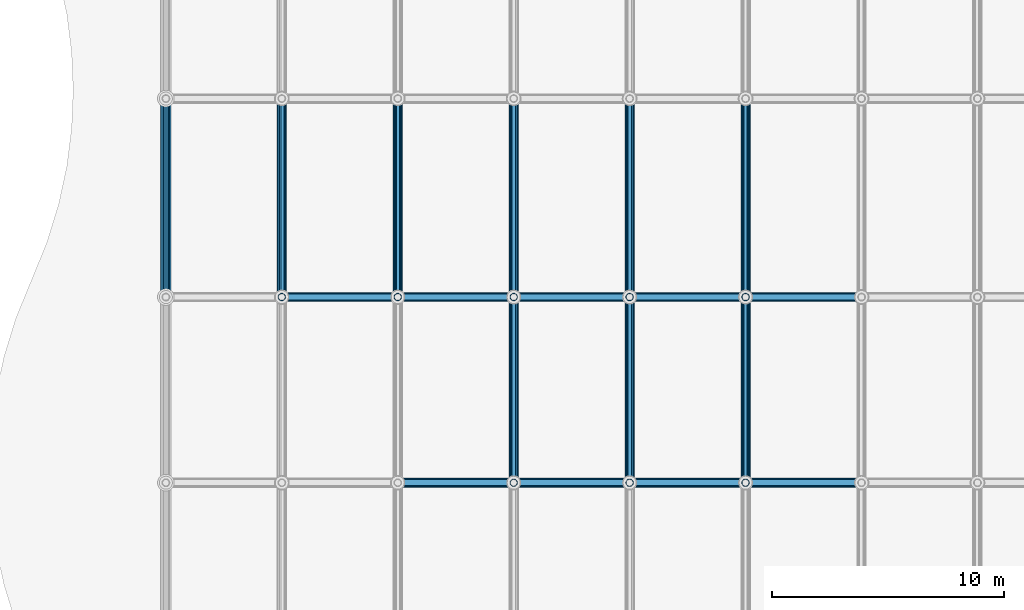
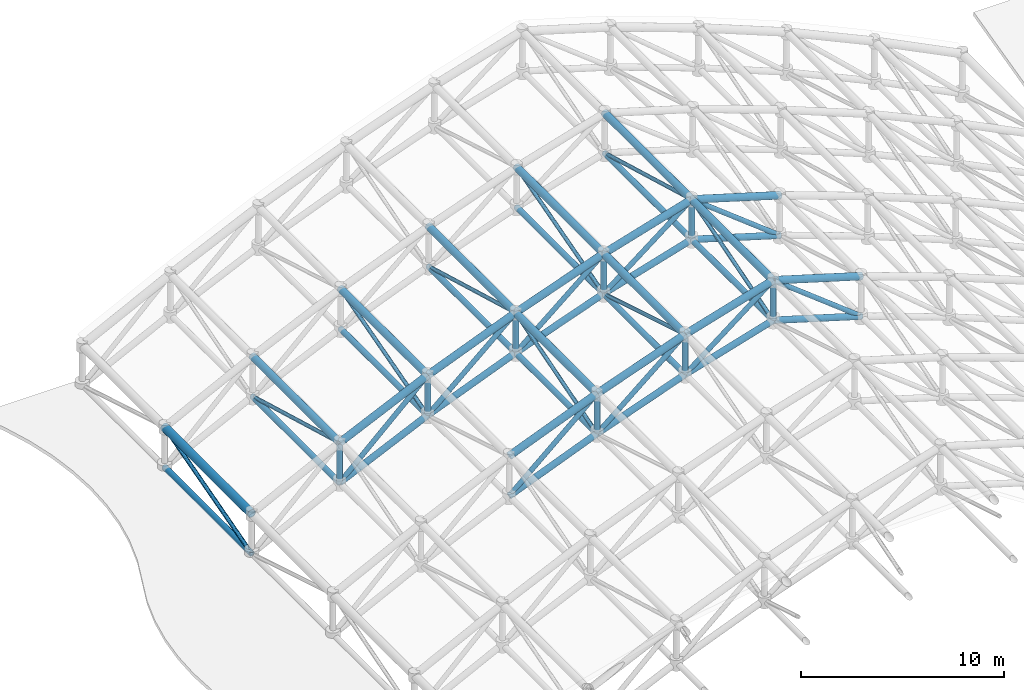
# One storey, part 6 of 11: 62 members.
"""IFC4 building model written with IfcOpenShell, lengths in metres."""

from ifc_helpers import new_model, si_unit, direction, frame, origin, origin_2d, place, context, subcontext, project, spatial, hollow_circle, extrude, material, material_profile, profile_set, type_object, element, save


model = new_model("IFC4")

# Units and contexts
model_context = context("Model", 3, precision=1e-05, world=origin(), true_north=direction((0.0, 1.0)))
body_context = subcontext(model_context, "Body", "Model", "MODEL_VIEW")
ifc_project = project(units=[si_unit("LENGTHUNIT", "METRE"), si_unit("AREAUNIT", "SQUARE_METRE"), si_unit("VOLUMEUNIT", "CUBIC_METRE"), si_unit("PLANEANGLEUNIT", "RADIAN"), si_unit("MASSUNIT", "GRAM", prefix="KILO")], contexts=[model_context])

# Site, building, storey
site_placement = place(None, origin())
site = spatial("IfcSite", under=ifc_project, at=site_placement, CompositionType="ELEMENT")
building_placement = place(site_placement, origin())
building = spatial("IfcBuilding", under=site, at=building_placement, Name="Kazehara Bluff Congress Hotel", CompositionType="ELEMENT")
storey_placement = place(building_placement, frame((0.0, 0.0, 50.39990234375)))
storey = spatial("IfcBuildingStorey", under=building, at=storey_placement, Name="RF", CompositionType="ELEMENT", Elevation=50.39990234375)

# Members
ifc_material_1 = material(Name="Steel STK490", Category="steel")
ifc_material_profile_1 = material_profile(ifc_material_1, hollow_circle(Radius=0.177734375, WallThickness=0.0126953125, at=origin_2d()))
ifc_profile_set_1 = profile_set([ifc_material_profile_1], Name="Steel STK490")
member_type_1 = type_object("IfcMemberType", Name="TP-SF-BC1", PredefinedType="CHORD", material=ifc_profile_set_1)
member_1_placement = place(storey_placement, frame((18.389892578125, 88.89990234375, -25.7998046875), z_axis=(0.928351468575, 0.0, 0.371703579207), x_axis=(0.0, 1.0, 0.0)))
element("IfcMember", 1, at=member_1_placement, inside=storey, type_object=member_type_1, Name="Congress roof space frame bottom arch chord 106", PredefinedType="CHORD", context=body_context, shape_type="SweptSolid", body=[
    extrude(hollow_circle(Radius=0.177734375, WallThickness=0.0126953125, at=origin_2d()), origin(), (0.0, 0.0, 1.0), 5.380615234375),
])
member_2_placement = place(storey_placement, frame((23.385009765625, 88.89990234375, -23.7998046875), z_axis=(0.940788303939, 0.0, 0.338994641803), x_axis=(0.0, 1.0, 0.0)))
element("IfcMember", 2, at=member_2_placement, inside=storey, type_object=member_type_1, Name="Congress roof space frame bottom arch chord 108", PredefinedType="CHORD", context=body_context, shape_type="SweptSolid", body=[
    extrude(hollow_circle(Radius=0.177734375, WallThickness=0.0126953125, at=origin_2d()), origin(), (0.0, 0.0, 1.0), 5.309326171875),
])
for number, where, z_axis, x_axis, name in (
    (3, (28.3798828125, 88.89990234375, -22.0), (0.957748948325, 0.0, 0.287605549292), (0.0, 1.0, 0.0), "Congress roof space frame bottom arch chord 110"),
    (4, (33.375, 88.89990234375, -20.5), (0.957748948325, 0.0, -0.287605549292), (0.0, 1.0, 0.0), "Congress roof space frame bottom arch chord 112"),
):
    element("IfcMember", number, at=place(storey_placement, frame(where, z_axis=z_axis, x_axis=x_axis)), inside=storey, type_object=member_type_1, Name=name, PredefinedType="CHORD", context=body_context, shape_type="SweptSolid", body=[
        extrude(hollow_circle(Radius=0.177734375, WallThickness=0.0126953125, at=origin_2d()), origin(), (0.0, 0.0, 1.0), 5.215576171875),
    ])
member_3_placement = place(storey_placement, frame((13.39501953125, 96.89990234375, -28.099853515625), z_axis=(0.908324180475, 0.0, 0.41826688031), x_axis=(0.0, 1.0, 0.0)))
element("IfcMember", 5, at=member_3_placement, inside=storey, type_object=member_type_1, Name="Congress roof space frame bottom arch chord 124", PredefinedType="CHORD", context=body_context, shape_type="SweptSolid", body=[
    extrude(hollow_circle(Radius=0.177734375, WallThickness=0.0126953125, at=origin_2d()), origin(), (0.0, 0.0, 1.0), 5.4990234375),
])
member_4_placement = place(storey_placement, frame((18.389892578125, 96.89990234375, -25.7998046875), z_axis=(0.928351468575, 0.0, 0.371703579207), x_axis=(0.0, 1.0, 0.0)))
element("IfcMember", 6, at=member_4_placement, inside=storey, type_object=member_type_1, Name="Congress roof space frame bottom arch chord 126", PredefinedType="CHORD", context=body_context, shape_type="SweptSolid", body=[
    extrude(hollow_circle(Radius=0.177734375, WallThickness=0.0126953125, at=origin_2d()), origin(), (0.0, 0.0, 1.0), 5.380615234375),
])
member_5_placement = place(storey_placement, frame((23.385009765625, 96.89990234375, -23.7998046875), z_axis=(0.940788303939, 0.0, 0.338994641803), x_axis=(0.0, 1.0, 0.0)))
element("IfcMember", 7, at=member_5_placement, inside=storey, type_object=member_type_1, Name="Congress roof space frame bottom arch chord 128", PredefinedType="CHORD", context=body_context, shape_type="SweptSolid", body=[
    extrude(hollow_circle(Radius=0.177734375, WallThickness=0.0126953125, at=origin_2d()), origin(), (0.0, 0.0, 1.0), 5.309326171875),
])
for number, where, z_axis, x_axis, name in (
    (8, (28.3798828125, 96.89990234375, -22.0), (0.957748948325, 0.0, 0.287605549292), (0.0, 1.0, 0.0), "Congress roof space frame bottom arch chord 130"),
    (9, (33.375, 96.89990234375, -20.5), (0.957748948325, 0.0, -0.287605549292), (0.0, 1.0, 0.0), "Congress roof space frame bottom arch chord 132"),
):
    element("IfcMember", number, at=place(storey_placement, frame(where, z_axis=z_axis, x_axis=x_axis)), inside=storey, type_object=member_type_1, Name=name, PredefinedType="CHORD", context=body_context, shape_type="SweptSolid", body=[
        extrude(hollow_circle(Radius=0.177734375, WallThickness=0.0126953125, at=origin_2d()), origin(), (0.0, 0.0, 1.0), 5.215576171875),
    ])
ifc_material_2 = material(Name="Steel STK490", Category="steel")
ifc_material_profile_2 = material_profile(ifc_material_2, hollow_circle(Radius=0.1591796875, WallThickness=0.01025390625, at=origin_2d()))
ifc_profile_set_2 = profile_set([ifc_material_profile_2], Name="Steel STK490")
member_type_2 = type_object("IfcMemberType", Name="TP-SF-BC2", PredefinedType="CHORD", material=ifc_profile_set_2)
for number, where, z_axis, x_axis, name in (
    (10, (8.39990234375, 96.89990234375, -30.599853515625), (0.0, 1.0, 0.0), (-1.0, 0.0, 0.0), "Congress roof space frame bottom longitudinal chord 194"),
    (11, (13.39501953125, 96.89990234375, -28.099853515625), (0.0, 1.0, 0.0), (-1.0, 0.0, 0.0), "Congress roof space frame bottom longitudinal chord 210"),
    (12, (18.389892578125, 96.89990234375, -25.7998046875), (0.0, 1.0, 0.0), (-1.0, 0.0, 0.0), "Congress roof space frame bottom longitudinal chord 226"),
):
    element("IfcMember", number, at=place(storey_placement, frame(where, z_axis=z_axis, x_axis=x_axis)), inside=storey, type_object=member_type_2, Name=name, PredefinedType="CHORD", context=body_context, shape_type="SweptSolid", body=[
        extrude(hollow_circle(Radius=0.1591796875, WallThickness=0.01025390625, at=origin_2d()), origin(), (0.0, 0.0, 1.0), 8.550048828125),
    ])
member_6_placement = place(storey_placement, frame((23.385009765625, 88.89990234375, -23.7998046875), z_axis=(0.0, 1.0, 0.0), x_axis=(-1.0, 0.0, 0.0)))
element("IfcMember", 13, at=member_6_placement, inside=storey, type_object=member_type_2, Name="Congress roof space frame bottom longitudinal chord 240", PredefinedType="CHORD", context=body_context, shape_type="SweptSolid", body=[
    extrude(hollow_circle(Radius=0.1591796875, WallThickness=0.01025390625, at=origin_2d()), origin(), (0.0, 0.0, 1.0), 8.0),
])
member_7_placement = place(storey_placement, frame((23.385009765625, 96.89990234375, -23.7998046875), z_axis=(0.0, 1.0, 0.0), x_axis=(-1.0, 0.0, 0.0)))
element("IfcMember", 14, at=member_7_placement, inside=storey, type_object=member_type_2, Name="Congress roof space frame bottom longitudinal chord 242", PredefinedType="CHORD", context=body_context, shape_type="SweptSolid", body=[
    extrude(hollow_circle(Radius=0.1591796875, WallThickness=0.01025390625, at=origin_2d()), origin(), (0.0, 0.0, 1.0), 8.550048828125),
])
member_8_placement = place(storey_placement, frame((28.3798828125, 88.89990234375, -22.0), z_axis=(0.0, 1.0, 0.0), x_axis=(-1.0, 0.0, 0.0)))
element("IfcMember", 15, at=member_8_placement, inside=storey, type_object=member_type_2, Name="Congress roof space frame bottom longitudinal chord 256", PredefinedType="CHORD", context=body_context, shape_type="SweptSolid", body=[
    extrude(hollow_circle(Radius=0.1591796875, WallThickness=0.01025390625, at=origin_2d()), origin(), (0.0, 0.0, 1.0), 8.0),
])
member_9_placement = place(storey_placement, frame((28.3798828125, 96.89990234375, -22.0), z_axis=(0.0, 1.0, 0.0), x_axis=(-1.0, 0.0, 0.0)))
element("IfcMember", 16, at=member_9_placement, inside=storey, type_object=member_type_2, Name="Congress roof space frame bottom longitudinal chord 258", PredefinedType="CHORD", context=body_context, shape_type="SweptSolid", body=[
    extrude(hollow_circle(Radius=0.1591796875, WallThickness=0.01025390625, at=origin_2d()), origin(), (0.0, 0.0, 1.0), 8.550048828125),
])
member_10_placement = place(storey_placement, frame((33.375, 88.89990234375, -20.5), z_axis=(0.0, 1.0, 0.0), x_axis=(-1.0, 0.0, 0.0)))
element("IfcMember", 17, at=member_10_placement, inside=storey, type_object=member_type_2, Name="Congress roof space frame bottom longitudinal chord 272", PredefinedType="CHORD", context=body_context, shape_type="SweptSolid", body=[
    extrude(hollow_circle(Radius=0.1591796875, WallThickness=0.01025390625, at=origin_2d()), origin(), (0.0, 0.0, 1.0), 8.0),
])
member_11_placement = place(storey_placement, frame((33.375, 96.89990234375, -20.5), z_axis=(0.0, 1.0, 0.0), x_axis=(-1.0, 0.0, 0.0)))
element("IfcMember", 18, at=member_11_placement, inside=storey, type_object=member_type_2, Name="Congress roof space frame bottom longitudinal chord 274", PredefinedType="CHORD", context=body_context, shape_type="SweptSolid", body=[
    extrude(hollow_circle(Radius=0.1591796875, WallThickness=0.01025390625, at=origin_2d()), origin(), (0.0, 0.0, 1.0), 8.550048828125),
])
ifc_material_3 = material(Name="Steel STK490", Category="steel")
ifc_material_profile_3 = material_profile(ifc_material_3, hollow_circle(Radius=0.1337890625, WallThickness=0.00927734375, at=origin_2d()))
ifc_profile_set_3 = profile_set([ifc_material_profile_3], Name="Steel STK490")
member_type_3 = type_object("IfcMemberType", Name="TP-SF-DG1", PredefinedType="BRACE", material=ifc_profile_set_3)
member_12_placement = place(storey_placement, frame((18.389892578125, 88.89990234375, -25.7998046875), z_axis=(0.750400574845, 0.0, 0.660983341146), x_axis=(0.0, 1.0, 0.0)))
element("IfcMember", 19, at=member_12_placement, inside=storey, type_object=member_type_3, Name="Congress roof space frame arch web diagonal 508", PredefinedType="BRACE", context=body_context, shape_type="SweptSolid", body=[
    extrude(hollow_circle(Radius=0.1337890625, WallThickness=0.00927734375, at=origin_2d()), origin(), (0.0, 0.0, 1.0), 6.656494140625),
])
member_13_placement = place(storey_placement, frame((23.385009765625, 88.89990234375, -23.7998046875), z_axis=(0.765383445182, 0.0, 0.643574534799), x_axis=(0.0, 1.0, 0.0)))
element("IfcMember", 20, at=member_13_placement, inside=storey, type_object=member_type_3, Name="Congress roof space frame arch web diagonal 509", PredefinedType="BRACE", context=body_context, shape_type="SweptSolid", body=[
    extrude(hollow_circle(Radius=0.1337890625, WallThickness=0.00927734375, at=origin_2d()), origin(), (0.0, 0.0, 1.0), 6.52587890625),
])
for number, where, z_axis, x_axis, name in (
    (21, (28.3798828125, 88.89990234375, -22.0), (0.788199556762, 0.0, 0.6154197419), (0.0, 1.0, 0.0), "Congress roof space frame arch web diagonal 510"),
    (22, (33.375, 88.89990234375, -18.099853515625), (0.788199556762, 0.0, -0.6154197419), (0.0, 1.0, 0.0), "Congress roof space frame arch web diagonal 511"),
):
    element("IfcMember", number, at=place(storey_placement, frame(where, z_axis=z_axis, x_axis=x_axis)), inside=storey, type_object=member_type_3, Name=name, PredefinedType="BRACE", context=body_context, shape_type="SweptSolid", body=[
        extrude(hollow_circle(Radius=0.1337890625, WallThickness=0.00927734375, at=origin_2d()), origin(), (0.0, 0.0, 1.0), 6.33740234375),
    ])
member_14_placement = place(storey_placement, frame((13.39501953125, 96.89990234375, -28.099853515625), z_axis=(0.728280456647, 0.0, 0.685279195997), x_axis=(0.0, 1.0, 0.0)))
element("IfcMember", 23, at=member_14_placement, inside=storey, type_object=member_type_3, Name="Congress roof space frame arch web diagonal 517", PredefinedType="BRACE", context=body_context, shape_type="SweptSolid", body=[
    extrude(hollow_circle(Radius=0.1337890625, WallThickness=0.00927734375, at=origin_2d()), origin(), (0.0, 0.0, 1.0), 6.8583984375),
])
member_15_placement = place(storey_placement, frame((18.389892578125, 96.89990234375, -25.7998046875), z_axis=(0.750400574845, 0.0, 0.660983341146), x_axis=(0.0, 1.0, 0.0)))
element("IfcMember", 24, at=member_15_placement, inside=storey, type_object=member_type_3, Name="Congress roof space frame arch web diagonal 518", PredefinedType="BRACE", context=body_context, shape_type="SweptSolid", body=[
    extrude(hollow_circle(Radius=0.1337890625, WallThickness=0.00927734375, at=origin_2d()), origin(), (0.0, 0.0, 1.0), 6.656494140625),
])
member_16_placement = place(storey_placement, frame((23.385009765625, 96.89990234375, -23.7998046875), z_axis=(0.765383445182, 0.0, 0.643574534799), x_axis=(0.0, 1.0, 0.0)))
element("IfcMember", 25, at=member_16_placement, inside=storey, type_object=member_type_3, Name="Congress roof space frame arch web diagonal 519", PredefinedType="BRACE", context=body_context, shape_type="SweptSolid", body=[
    extrude(hollow_circle(Radius=0.1337890625, WallThickness=0.00927734375, at=origin_2d()), origin(), (0.0, 0.0, 1.0), 6.52587890625),
])
for number, where, z_axis, x_axis, name in (
    (26, (28.3798828125, 96.89990234375, -22.0), (0.788199556762, 0.0, 0.6154197419), (0.0, 1.0, 0.0), "Congress roof space frame arch web diagonal 520"),
    (27, (33.375, 96.89990234375, -18.099853515625), (0.788199556762, 0.0, -0.6154197419), (0.0, 1.0, 0.0), "Congress roof space frame arch web diagonal 521"),
):
    element("IfcMember", number, at=place(storey_placement, frame(where, z_axis=z_axis, x_axis=x_axis)), inside=storey, type_object=member_type_3, Name=name, PredefinedType="BRACE", context=body_context, shape_type="SweptSolid", body=[
        extrude(hollow_circle(Radius=0.1337890625, WallThickness=0.00927734375, at=origin_2d()), origin(), (0.0, 0.0, 1.0), 6.33740234375),
    ])
ifc_material_4 = material(Name="Steel STK490", Category="steel")
ifc_material_profile_4 = material_profile(ifc_material_4, hollow_circle(Radius=0.108154296875, WallThickness=0.00830078125, at=origin_2d()))
ifc_profile_set_4 = profile_set([ifc_material_profile_4], Name="Steel STK490")
member_type_4 = type_object("IfcMemberType", Name="TP-SF-DG2", PredefinedType="BRACE", material=ifc_profile_set_4)
for number, where, z_axis, x_axis, name in (
    (28, (8.39990234375, 96.89990234375, -30.599853515625), (0.0, 0.962791652702, 0.270244765885), (-1.0, 0.0, 0.0), "Congress roof space frame transverse web diagonal 552"),
    (29, (13.39501953125, 96.89990234375, -25.699951171875), (0.0, 0.962791652702, -0.270244765885), (-1.0, 0.0, 0.0), "Congress roof space frame transverse web diagonal 560"),
    (30, (18.389892578125, 96.89990234375, -25.7998046875), (0.0, 0.962791652702, 0.270244765885), (-1.0, 0.0, 0.0), "Congress roof space frame transverse web diagonal 568"),
):
    element("IfcMember", number, at=place(storey_placement, frame(where, z_axis=z_axis, x_axis=x_axis)), inside=storey, type_object=member_type_4, Name=name, PredefinedType="BRACE", context=body_context, shape_type="SweptSolid", body=[
        extrude(hollow_circle(Radius=0.108154296875, WallThickness=0.00830078125, at=origin_2d()), origin(), (0.0, 0.0, 1.0), 8.88037109375),
    ])
member_17_placement = place(storey_placement, frame((23.385009765625, 88.89990234375, -23.7998046875), z_axis=(0.0, 0.957829503213, 0.287337158709), x_axis=(-1.0, 0.0, 0.0)))
element("IfcMember", 31, at=member_17_placement, inside=storey, type_object=member_type_4, Name="Congress roof space frame transverse web diagonal 575", PredefinedType="BRACE", context=body_context, shape_type="SweptSolid", body=[
    extrude(hollow_circle(Radius=0.108154296875, WallThickness=0.00830078125, at=origin_2d()), origin(), (0.0, 0.0, 1.0), 8.352294921875),
])
member_18_placement = place(storey_placement, frame((23.385009765625, 96.89990234375, -21.39990234375), z_axis=(0.0, 0.962791652702, -0.270244765885), x_axis=(-1.0, 0.0, 0.0)))
element("IfcMember", 32, at=member_18_placement, inside=storey, type_object=member_type_4, Name="Congress roof space frame transverse web diagonal 576", PredefinedType="BRACE", context=body_context, shape_type="SweptSolid", body=[
    extrude(hollow_circle(Radius=0.108154296875, WallThickness=0.00830078125, at=origin_2d()), origin(), (0.0, 0.0, 1.0), 8.88037109375),
])
member_19_placement = place(storey_placement, frame((28.3798828125, 88.89990234375, -19.599853515625), z_axis=(0.0, 0.957821458049, -0.287363975649), x_axis=(-1.0, 0.0, 0.0)))
element("IfcMember", 33, at=member_19_placement, inside=storey, type_object=member_type_4, Name="Congress roof space frame transverse web diagonal 583", PredefinedType="BRACE", context=body_context, shape_type="SweptSolid", body=[
    extrude(hollow_circle(Radius=0.108154296875, WallThickness=0.00830078125, at=origin_2d()), origin(), (0.0, 0.0, 1.0), 8.352294921875),
])
member_20_placement = place(storey_placement, frame((28.3798828125, 96.89990234375, -22.0), z_axis=(0.0, 0.962784499333, 0.270270249648), x_axis=(-1.0, 0.0, 0.0)))
element("IfcMember", 34, at=member_20_placement, inside=storey, type_object=member_type_4, Name="Congress roof space frame transverse web diagonal 584", PredefinedType="BRACE", context=body_context, shape_type="SweptSolid", body=[
    extrude(hollow_circle(Radius=0.108154296875, WallThickness=0.00830078125, at=origin_2d()), origin(), (0.0, 0.0, 1.0), 8.880615234375),
])
member_21_placement = place(storey_placement, frame((33.375, 88.89990234375, -20.5), z_axis=(0.0, 0.957821458049, 0.287363975649), x_axis=(-1.0, 0.0, 0.0)))
element("IfcMember", 35, at=member_21_placement, inside=storey, type_object=member_type_4, Name="Congress roof space frame transverse web diagonal 591", PredefinedType="BRACE", context=body_context, shape_type="SweptSolid", body=[
    extrude(hollow_circle(Radius=0.108154296875, WallThickness=0.00830078125, at=origin_2d()), origin(), (0.0, 0.0, 1.0), 8.352294921875),
])
member_22_placement = place(storey_placement, frame((33.375, 96.89990234375, -18.099853515625), z_axis=(0.0, 0.962784499333, -0.270270249648), x_axis=(-1.0, 0.0, 0.0)))
element("IfcMember", 36, at=member_22_placement, inside=storey, type_object=member_type_4, Name="Congress roof space frame transverse web diagonal 592", PredefinedType="BRACE", context=body_context, shape_type="SweptSolid", body=[
    extrude(hollow_circle(Radius=0.108154296875, WallThickness=0.00830078125, at=origin_2d()), origin(), (0.0, 0.0, 1.0), 8.880615234375),
])
ifc_material_5 = material(Name="Steel STK490", Category="steel")
ifc_material_profile_5 = material_profile(ifc_material_5, hollow_circle(Radius=0.1591796875, WallThickness=0.01025390625, at=origin_2d()))
ifc_profile_set_5 = profile_set([ifc_material_profile_5], Name="Steel STK490")
member_type_5 = type_object("IfcMemberType", Name="TP-SF-PS1", PredefinedType="POST", material=ifc_profile_set_5)
for number, where, z_axis, x_axis, name in (
    (37, (13.39501953125, 96.89990234375, -28.099853515625), (0.0, 0.0, 1.0), (1.0, 0.0, 0.0), "Congress roof space frame vertical post 372"),
    (38, (18.389892578125, 96.89990234375, -25.7998046875), (0.0, 0.0, 1.0), (1.0, 0.0, 0.0), "Congress roof space frame vertical post 381"),
    (39, (23.385009765625, 88.89990234375, -23.7998046875), (0.0, 0.0, 1.0), (1.0, 0.0, 0.0), "Congress roof space frame vertical post 389"),
    (40, (23.385009765625, 96.89990234375, -23.7998046875), (0.0, 0.0, 1.0), (1.0, 0.0, 0.0), "Congress roof space frame vertical post 390"),
):
    element("IfcMember", number, at=place(storey_placement, frame(where, z_axis=z_axis, x_axis=x_axis)), inside=storey, type_object=member_type_5, Name=name, PredefinedType="POST", context=body_context, shape_type="SweptSolid", body=[
        extrude(hollow_circle(Radius=0.1591796875, WallThickness=0.01025390625, at=origin_2d()), origin(), (0.0, 0.0, 1.0), 2.39990234375),
    ])
for number, where, z_axis, x_axis, name in (
    (41, (28.3798828125, 88.89990234375, -22.0), (0.0, 0.0, 1.0), (1.0, 0.0, 0.0), "Congress roof space frame vertical post 398"),
    (42, (28.3798828125, 96.89990234375, -22.0), (0.0, 0.0, 1.0), (1.0, 0.0, 0.0), "Congress roof space frame vertical post 399"),
    (43, (33.375, 88.89990234375, -20.5), (0.0, 0.0, 1.0), (1.0, 0.0, 0.0), "Congress roof space frame vertical post 407"),
    (44, (33.375, 96.89990234375, -20.5), (0.0, 0.0, 1.0), (1.0, 0.0, 0.0), "Congress roof space frame vertical post 408"),
):
    element("IfcMember", number, at=place(storey_placement, frame(where, z_axis=z_axis, x_axis=x_axis)), inside=storey, type_object=member_type_5, Name=name, PredefinedType="POST", context=body_context, shape_type="SweptSolid", body=[
        extrude(hollow_circle(Radius=0.1591796875, WallThickness=0.01025390625, at=origin_2d()), origin(), (0.0, 0.0, 1.0), 2.400146484375),
    ])
ifc_material_6 = material(Name="Steel STK490", Category="steel")
ifc_material_profile_6 = material_profile(ifc_material_6, hollow_circle(Radius=0.203125, WallThickness=0.0126953125, at=origin_2d()))
ifc_profile_set_6 = profile_set([ifc_material_profile_6], Name="Steel STK490")
member_type_6 = type_object("IfcMemberType", Name="TP-SF-TC1", PredefinedType="CHORD", material=ifc_profile_set_6)
member_23_placement = place(storey_placement, frame((18.389892578125, 88.89990234375, -23.39990234375), z_axis=(0.928351468575, 0.0, 0.371703579207), x_axis=(0.0, 1.0, 0.0)))
element("IfcMember", 45, at=member_23_placement, inside=storey, type_object=member_type_6, Name="Congress roof space frame top arch chord 105", PredefinedType="CHORD", context=body_context, shape_type="SweptSolid", body=[
    extrude(hollow_circle(Radius=0.203125, WallThickness=0.0126953125, at=origin_2d()), origin(), (0.0, 0.0, 1.0), 5.380615234375),
])
member_24_placement = place(storey_placement, frame((23.385009765625, 88.89990234375, -21.39990234375), z_axis=(0.940773637944, 0.0, 0.339035340562), x_axis=(0.0, 1.0, 0.0)))
element("IfcMember", 46, at=member_24_placement, inside=storey, type_object=member_type_6, Name="Congress roof space frame top arch chord 107", PredefinedType="CHORD", context=body_context, shape_type="SweptSolid", body=[
    extrude(hollow_circle(Radius=0.203125, WallThickness=0.0126953125, at=origin_2d()), origin(), (0.0, 0.0, 1.0), 5.309326171875),
])
for number, where, z_axis, x_axis, name in (
    (47, (28.3798828125, 88.89990234375, -19.599853515625), (0.957748948325, 0.0, 0.287605549292), (0.0, 1.0, 0.0), "Congress roof space frame top arch chord 109"),
    (48, (33.375, 88.89990234375, -18.099853515625), (0.957748948325, 0.0, -0.287605549292), (0.0, 1.0, 0.0), "Congress roof space frame top arch chord 111"),
):
    element("IfcMember", number, at=place(storey_placement, frame(where, z_axis=z_axis, x_axis=x_axis)), inside=storey, type_object=member_type_6, Name=name, PredefinedType="CHORD", context=body_context, shape_type="SweptSolid", body=[
        extrude(hollow_circle(Radius=0.203125, WallThickness=0.0126953125, at=origin_2d()), origin(), (0.0, 0.0, 1.0), 5.215576171875),
    ])
member_25_placement = place(storey_placement, frame((13.39501953125, 96.89990234375, -25.699951171875), z_axis=(0.908324180475, 0.0, 0.41826688031), x_axis=(0.0, 1.0, 0.0)))
element("IfcMember", 49, at=member_25_placement, inside=storey, type_object=member_type_6, Name="Congress roof space frame top arch chord 123", PredefinedType="CHORD", context=body_context, shape_type="SweptSolid", body=[
    extrude(hollow_circle(Radius=0.203125, WallThickness=0.0126953125, at=origin_2d()), origin(), (0.0, 0.0, 1.0), 5.4990234375),
])
member_26_placement = place(storey_placement, frame((18.389892578125, 96.89990234375, -23.39990234375), z_axis=(0.928351468575, 0.0, 0.371703579207), x_axis=(0.0, 1.0, 0.0)))
element("IfcMember", 50, at=member_26_placement, inside=storey, type_object=member_type_6, Name="Congress roof space frame top arch chord 125", PredefinedType="CHORD", context=body_context, shape_type="SweptSolid", body=[
    extrude(hollow_circle(Radius=0.203125, WallThickness=0.0126953125, at=origin_2d()), origin(), (0.0, 0.0, 1.0), 5.380615234375),
])
member_27_placement = place(storey_placement, frame((23.385009765625, 96.89990234375, -21.39990234375), z_axis=(0.940773637944, 0.0, 0.339035340562), x_axis=(0.0, 1.0, 0.0)))
element("IfcMember", 51, at=member_27_placement, inside=storey, type_object=member_type_6, Name="Congress roof space frame top arch chord 127", PredefinedType="CHORD", context=body_context, shape_type="SweptSolid", body=[
    extrude(hollow_circle(Radius=0.203125, WallThickness=0.0126953125, at=origin_2d()), origin(), (0.0, 0.0, 1.0), 5.309326171875),
])
for number, where, z_axis, x_axis, name in (
    (52, (28.3798828125, 96.89990234375, -19.599853515625), (0.957748948325, 0.0, 0.287605549292), (0.0, 1.0, 0.0), "Congress roof space frame top arch chord 129"),
    (53, (33.375, 96.89990234375, -18.099853515625), (0.957748948325, 0.0, -0.287605549292), (0.0, 1.0, 0.0), "Congress roof space frame top arch chord 131"),
):
    element("IfcMember", number, at=place(storey_placement, frame(where, z_axis=z_axis, x_axis=x_axis)), inside=storey, type_object=member_type_6, Name=name, PredefinedType="CHORD", context=body_context, shape_type="SweptSolid", body=[
        extrude(hollow_circle(Radius=0.203125, WallThickness=0.0126953125, at=origin_2d()), origin(), (0.0, 0.0, 1.0), 5.215576171875),
    ])
for number, where, z_axis, x_axis, name in (
    (54, (13.39501953125, 96.89990234375, -25.699951171875), (0.0, 1.0, 0.0), (-1.0, 0.0, 0.0), "Congress roof space frame top longitudinal chord 209"),
    (55, (18.389892578125, 96.89990234375, -23.39990234375), (0.0, 1.0, 0.0), (-1.0, 0.0, 0.0), "Congress roof space frame top longitudinal chord 225"),
):
    element("IfcMember", number, at=place(storey_placement, frame(where, z_axis=z_axis, x_axis=x_axis)), inside=storey, type_object=member_type_6, Name=name, PredefinedType="CHORD", context=body_context, shape_type="SweptSolid", body=[
        extrude(hollow_circle(Radius=0.203125, WallThickness=0.0126953125, at=origin_2d()), origin(), (0.0, 0.0, 1.0), 8.550048828125),
    ])
member_28_placement = place(storey_placement, frame((23.385009765625, 88.89990234375, -21.39990234375), z_axis=(0.0, 1.0, 0.0), x_axis=(-1.0, 0.0, 0.0)))
element("IfcMember", 56, at=member_28_placement, inside=storey, type_object=member_type_6, Name="Congress roof space frame top longitudinal chord 239", PredefinedType="CHORD", context=body_context, shape_type="SweptSolid", body=[
    extrude(hollow_circle(Radius=0.203125, WallThickness=0.0126953125, at=origin_2d()), origin(), (0.0, 0.0, 1.0), 8.0),
])
member_29_placement = place(storey_placement, frame((23.385009765625, 96.89990234375, -21.39990234375), z_axis=(0.0, 1.0, 0.0), x_axis=(-1.0, 0.0, 0.0)))
element("IfcMember", 57, at=member_29_placement, inside=storey, type_object=member_type_6, Name="Congress roof space frame top longitudinal chord 241", PredefinedType="CHORD", context=body_context, shape_type="SweptSolid", body=[
    extrude(hollow_circle(Radius=0.203125, WallThickness=0.0126953125, at=origin_2d()), origin(), (0.0, 0.0, 1.0), 8.550048828125),
])
member_30_placement = place(storey_placement, frame((28.3798828125, 88.89990234375, -19.599853515625), z_axis=(0.0, 1.0, 0.0), x_axis=(-1.0, 0.0, 0.0)))
element("IfcMember", 58, at=member_30_placement, inside=storey, type_object=member_type_6, Name="Congress roof space frame top longitudinal chord 255", PredefinedType="CHORD", context=body_context, shape_type="SweptSolid", body=[
    extrude(hollow_circle(Radius=0.203125, WallThickness=0.0126953125, at=origin_2d()), origin(), (0.0, 0.0, 1.0), 8.0),
])
member_31_placement = place(storey_placement, frame((28.3798828125, 96.89990234375, -19.599853515625), z_axis=(0.0, 1.0, 0.0), x_axis=(-1.0, 0.0, 0.0)))
element("IfcMember", 59, at=member_31_placement, inside=storey, type_object=member_type_6, Name="Congress roof space frame top longitudinal chord 257", PredefinedType="CHORD", context=body_context, shape_type="SweptSolid", body=[
    extrude(hollow_circle(Radius=0.203125, WallThickness=0.0126953125, at=origin_2d()), origin(), (0.0, 0.0, 1.0), 8.550048828125),
])
member_32_placement = place(storey_placement, frame((33.375, 88.89990234375, -18.099853515625), z_axis=(0.0, 1.0, 0.0), x_axis=(-1.0, 0.0, 0.0)))
element("IfcMember", 60, at=member_32_placement, inside=storey, type_object=member_type_6, Name="Congress roof space frame top longitudinal chord 271", PredefinedType="CHORD", context=body_context, shape_type="SweptSolid", body=[
    extrude(hollow_circle(Radius=0.203125, WallThickness=0.0126953125, at=origin_2d()), origin(), (0.0, 0.0, 1.0), 8.0),
])
member_33_placement = place(storey_placement, frame((33.375, 96.89990234375, -18.099853515625), z_axis=(0.0, 1.0, 0.0), x_axis=(-1.0, 0.0, 0.0)))
element("IfcMember", 61, at=member_33_placement, inside=storey, type_object=member_type_6, Name="Congress roof space frame top longitudinal chord 273", PredefinedType="CHORD", context=body_context, shape_type="SweptSolid", body=[
    extrude(hollow_circle(Radius=0.203125, WallThickness=0.0126953125, at=origin_2d()), origin(), (0.0, 0.0, 1.0), 8.550048828125),
])
ifc_material_7 = material(Name="Steel STK490", Category="steel")
ifc_material_profile_7 = material_profile(ifc_material_7, hollow_circle(Radius=0.228515625, WallThickness=0.013916015625, at=origin_2d()))
ifc_profile_set_7 = profile_set([ifc_material_profile_7], Name="Steel STK490")
member_type_7 = type_object("IfcMemberType", Name="TP-SF-TC2", PredefinedType="CHORD", material=ifc_profile_set_7)
member_34_placement = place(storey_placement, frame((8.39990234375, 96.89990234375, -28.199951171875), z_axis=(0.0, 1.0, 0.0), x_axis=(-1.0, 0.0, 0.0)))
element("IfcMember", 62, at=member_34_placement, inside=storey, type_object=member_type_7, Name="Congress roof space frame top longitudinal chord 193", PredefinedType="CHORD", context=body_context, shape_type="SweptSolid", body=[
    extrude(hollow_circle(Radius=0.228515625, WallThickness=0.013916015625, at=origin_2d()), origin(), (0.0, 0.0, 1.0), 8.550048828125),
])

save(model, "model.ifc")
